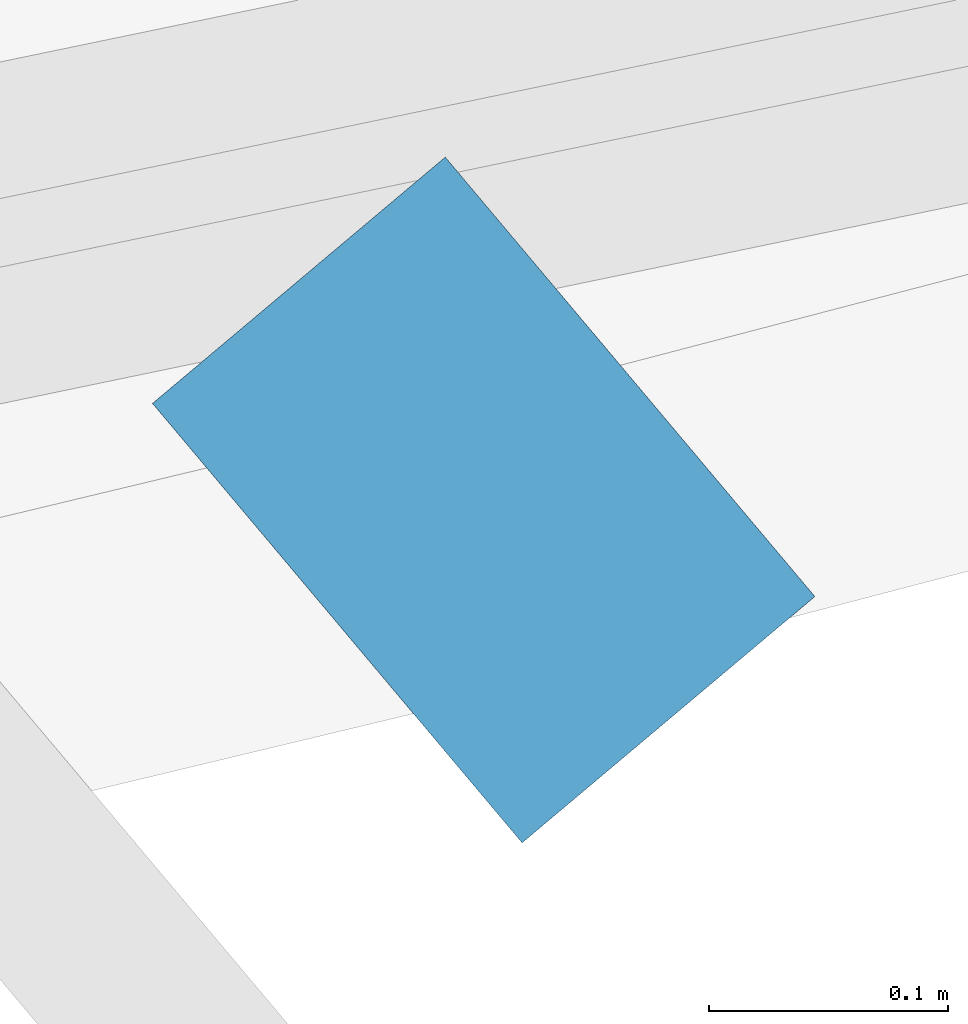
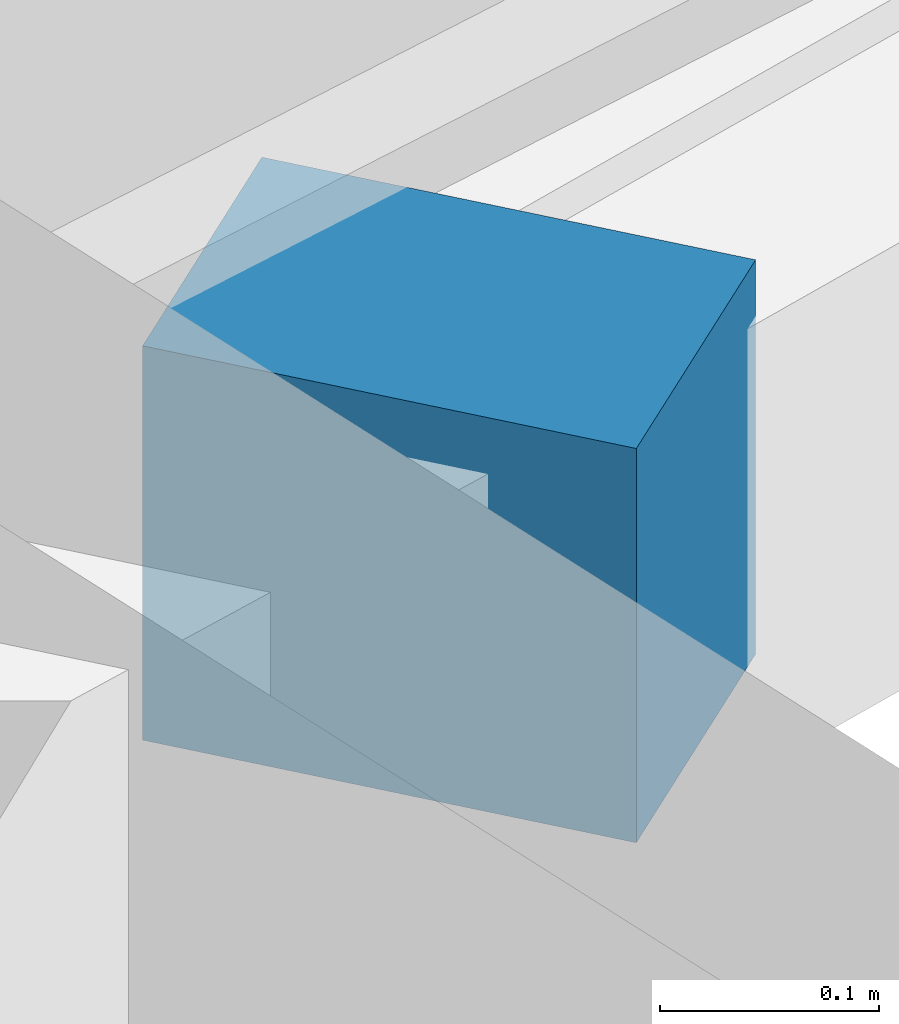
# One storey, part 12 of 17: 1 discrete accessory.
"""IFC4 building model written with IfcOpenShell, lengths in metres."""

import ifcopenshell
import ifcopenshell.guid

model = None  # the IFC model being written
_history = None  # IfcOwnerHistory: only IFC2X3 demands one
_inside = {}  # id of a spatial element -> (the spatial element, [elements in it])
_under = {}  # id of a project, library or spatial element -> (it, [spatial elements below it])
_declared = {}  # id of a project -> (the project, [libraries it declares])
_typed = {}  # id of a type object -> (the type object, [elements of that type])
_made_of = {}  # id of a material, layer set ... -> (it, [elements and type objects made of it])


def new_model(schema):
    """Start an empty IFC model of exactly this schema.

    Asked for "IFC4X3", IfcOpenShell would pick the latest addendum, in which some entities
    have other attributes; the version numbers below select the first issue.
    IFC2X3 requires an IfcOwnerHistory on every rooted entity: one is made here for all.
    """
    global model, _history
    if schema == "IFC4X3":
        model = ifcopenshell.file(schema_version=(4, 3, 0, 0))
    else:
        model = ifcopenshell.file(schema=schema)
    _inside.clear()
    _under.clear()
    _declared.clear()
    _typed.clear()
    _made_of.clear()
    _history = None
    if model.schema == "IFC2X3":
        org = make("IfcOrganization", Name="unknown")
        user = make(
            "IfcPersonAndOrganization",
            ThePerson=make("IfcPerson", FamilyName="unknown"),
            TheOrganization=org,
        )
        app = make(
            "IfcApplication",
            ApplicationDeveloper=org,
            Version="unknown",
            ApplicationFullName="unknown",
            ApplicationIdentifier="unknown",
        )
        _history = make(
            "IfcOwnerHistory",
            OwningUser=user,
            OwningApplication=app,
            ChangeAction="ADDED",
            CreationDate=0,
        )
    return model


def make(cls, **values):
    """One entity of the class cls with the attributes given. An attribute that is None is left unset."""
    return model.create_entity(
        cls, **{name: value for name, value in values.items() if value is not None}
    )


def rooted(cls, **values):
    """An entity with a GlobalId (a new one), such as an element, a storey or a relation."""
    return make(cls, GlobalId=ifcopenshell.guid.new(), OwnerHistory=_history, **values)


def si_unit(unit_type, name, prefix=None):
    """IfcSIUnit, for example si_unit("LENGTHUNIT", "METRE", prefix="MILLI")."""
    return make("IfcSIUnit", UnitType=unit_type, Prefix=prefix, Name=name)


def assignment(units):
    """IfcUnitAssignment: the units of a project."""
    return None if units is None else make("IfcUnitAssignment", Units=units)


def point(xyz):
    """IfcCartesianPoint."""
    return None if xyz is None else make("IfcCartesianPoint", Coordinates=xyz)


def direction(xyz):
    """IfcDirection."""
    return None if xyz is None else make("IfcDirection", DirectionRatios=xyz)


def frame(location, z_axis=None, x_axis=None):
    """IfcAxis2Placement3D, a coordinate frame: its origin and axes. An axis left out is left unset."""
    return make(
        "IfcAxis2Placement3D",
        Location=point(location),
        Axis=direction(z_axis),
        RefDirection=direction(x_axis),
    )


def frame_2d(location, x_axis=None):
    """IfcAxis2Placement2D, a coordinate frame in the plane: its origin and x axis."""
    return make(
        "IfcAxis2Placement2D", Location=point(location), RefDirection=direction(x_axis)
    )


def origin():
    """The frame at (0, 0, 0) with its axes left unset."""
    return frame((0.0, 0.0, 0.0))


def origin_2d():
    """The frame at (0, 0) in the plane with its x axis left unset."""
    return frame_2d((0.0, 0.0))


def place(relative_to, where):
    """IfcLocalPlacement: puts the frame where relative to a parent placement (None: the world)."""
    return make(
        "IfcLocalPlacement", PlacementRelTo=relative_to, RelativePlacement=where
    )


def context(
    kind, dimensions, precision=None, world=None, true_north=None, identifier=None
):
    """IfcGeometricRepresentationContext, for example the 3D "Model" context."""
    return make(
        "IfcGeometricRepresentationContext",
        ContextIdentifier=identifier,
        ContextType=kind,
        CoordinateSpaceDimension=dimensions,
        Precision=precision,
        WorldCoordinateSystem=world,
        TrueNorth=true_north,
    )


def subcontext(parent, identifier, kind, view, scale=None):
    """IfcGeometricRepresentationSubContext, for example "Body" below "Model"."""
    return make(
        "IfcGeometricRepresentationSubContext",
        ContextIdentifier=identifier,
        ContextType=kind,
        ParentContext=parent,
        TargetScale=scale,
        TargetView=view,
    )


def project(units=None, contexts=None):
    """IfcProject with its units and contexts."""
    return rooted(
        "IfcProject",
        Name="project",
        RepresentationContexts=contexts,
        UnitsInContext=assignment(units),
    )


def spatial(cls, under=None, at=None, **own):
    """A site, building, storey or space (cls), placed at a placement, below another one or the project."""
    s = rooted(cls, ObjectPlacement=at, **own)
    if under is not None:
        _under.setdefault(under.id(), (under, []))[1].append(s)
    return s


def profile(cls, at=None, kind="AREA", **sizes):
    """A parametric profile (cls). Its sizes go by their IFC names, for example OverallWidth=200.0."""
    return make(cls, ProfileType=kind, Position=at, **sizes)


def rectangle(**sizes):
    """IfcRectangleProfileDef."""
    return profile("IfcRectangleProfileDef", **sizes)


def extrude(swept, where, along, depth):
    """IfcExtrudedAreaSolid: the profile swept, set in the frame where, extruded along a direction by depth."""
    return make(
        "IfcExtrudedAreaSolid",
        SweptArea=swept,
        Position=where,
        ExtrudedDirection=direction(along),
        Depth=depth,
    )


def shape(context_of_items, identifier, shape_type, items):
    """IfcShapeRepresentation: the items that make up one representation, for example the "Body"."""
    return make(
        "IfcShapeRepresentation",
        ContextOfItems=context_of_items,
        RepresentationIdentifier=identifier,
        RepresentationType=shape_type,
        Items=items,
    )


def material(Name=None, Category=None):
    """IfcMaterial."""
    return make("IfcMaterial", Name=Name, Category=Category)


def made_of(thing, what):
    """Note that an element or type object is made of a material, layer set ...; save() writes the relation."""
    if what is not None:
        _made_of.setdefault(what.id(), (what, []))[1].append(thing)
    return thing


def type_object(cls, material=None, **own):
    """A type object (cls), such as IfcWallType, which elements share."""
    return made_of(rooted(cls, **own), material)


def element(
    cls,
    number,
    at=None,
    inside=None,
    cuts=None,
    type_object=None,
    material=None,
    context=None,
    identifier="Body",
    shape_type=None,
    held_by="IfcProductDefinitionShape",
    body=None,
    shapes=None,
    **own,
):
    """One element of the class cls, such as IfcWall. Its Tag is "e" and its number.

    at: its placement. inside: the storey or other place that contains it. cuts: it is an
    opening in that element (IfcRelVoidsElement). A single representation is given by context,
    identifier, shape_type and body (its items); several are given by shapes. held_by: the class
    of the entity that holds the representations. save() writes the other relations.
    """
    e = rooted(cls, Tag="e%d" % number, ObjectPlacement=at, **own)
    if body is not None:
        shapes = [shape(context, identifier, shape_type, body)]
    if shapes is not None:
        e.Representation = make(held_by, Representations=shapes)
    if inside is not None:
        _inside.setdefault(inside.id(), (inside, []))[1].append(e)
    if cuts is not None:
        rooted(
            "IfcRelVoidsElement", RelatingBuildingElement=cuts, RelatedOpeningElement=e
        )
    if type_object is not None:
        _typed.setdefault(type_object.id(), (type_object, []))[1].append(e)
    return made_of(e, material)


def aggregate(whole, parts):
    """IfcRelAggregates: a whole, such as a stair, and the parts it consists of."""
    return rooted("IfcRelAggregates", RelatingObject=whole, RelatedObjects=parts)


def save(model, path):
    """Write the relations noted so far, then the file.

    IfcRelAggregates (storeys below a building ...), IfcRelContainedInSpatialStructure (elements
    in a storey), IfcRelDefinesByType, IfcRelAssociatesMaterial and IfcRelDeclares: one each for
    every whole, place, type object, material and project.
    """
    for whole, parts in _under.values():
        aggregate(whole, parts)
    for where, things in _inside.values():
        rooted(
            "IfcRelContainedInSpatialStructure",
            RelatedElements=things,
            RelatingStructure=where,
        )
    for kind, things in _typed.values():
        rooted("IfcRelDefinesByType", RelatedObjects=things, RelatingType=kind)
    for what, things in _made_of.values():
        rooted("IfcRelAssociatesMaterial", RelatedObjects=things, RelatingMaterial=what)
    for by, libraries in _declared.values():
        rooted("IfcRelDeclares", RelatingContext=by, RelatedDefinitions=libraries)
    model.write(path)


model = new_model("IFC4")

# Units and contexts
model_context = context("Model", 3, precision=1e-05, world=origin(), true_north=direction((0.0, 1.0)))
body_context = subcontext(model_context, "Body", "Model", "MODEL_VIEW")
ifc_project = project(units=[si_unit("LENGTHUNIT", "METRE"), si_unit("AREAUNIT", "SQUARE_METRE"), si_unit("VOLUMEUNIT", "CUBIC_METRE"), si_unit("PLANEANGLEUNIT", "RADIAN"), si_unit("MASSUNIT", "GRAM", prefix="KILO")], contexts=[model_context])

# Site, building, storey
site_placement = place(None, origin())
site = spatial("IfcSite", under=ifc_project, at=site_placement, CompositionType="ELEMENT")
building_placement = place(site_placement, origin())
building = spatial("IfcBuilding", under=site, at=building_placement, Name="Savorim Split Tower", CompositionType="ELEMENT")
storey_placement = place(building_placement, frame((0.0, 0.0, 55.199951171875)))
storey = spatial("IfcBuildingStorey", under=building, at=storey_placement, Name="L14", CompositionType="ELEMENT", Elevation=55.199951171875)

# Discrete accessory
ifc_material = material(Name="Steel S355", Category="steel")
discrete_accessory_type = type_object("IfcDiscreteAccessoryType", Name="ACC-BRK-FIN", PredefinedType="BRACKET", material=ifc_material)
discrete_accessory_placement = place(storey_placement, frame((25.611572265625, -19.10986328125, -0.18994140625), z_axis=(0.0, 0.0, 1.0), x_axis=(0.643719022682, -0.765261928909, 0.0)))
element("IfcDiscreteAccessory", 1, at=discrete_accessory_placement, inside=storey, type_object=discrete_accessory_type, Name="L14 Fin Slab-Edge Cleat Bracket 13", PredefinedType="BRACKET", context=body_context, shape_type="SweptSolid", body=[
    extrude(rectangle(XDim=0.239990234375, YDim=0.159912109375, at=origin_2d()), origin(), (0.0, 0.0, 1.0), 0.219970703125),
])

save(model, "model.ifc")
